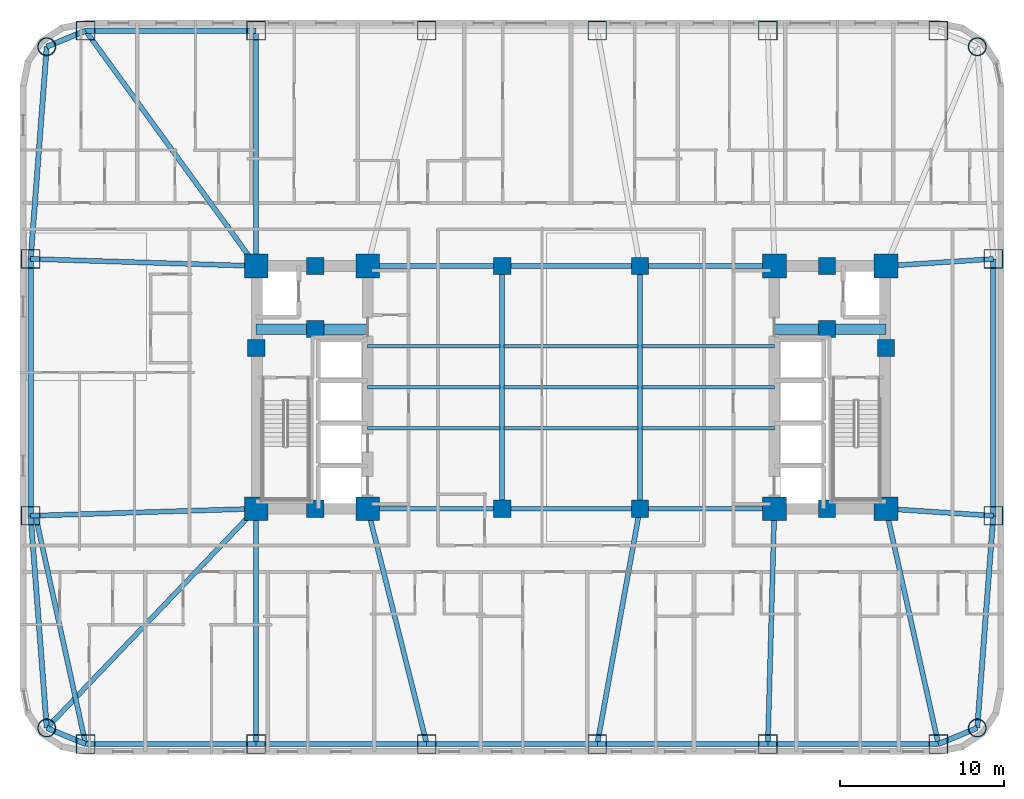
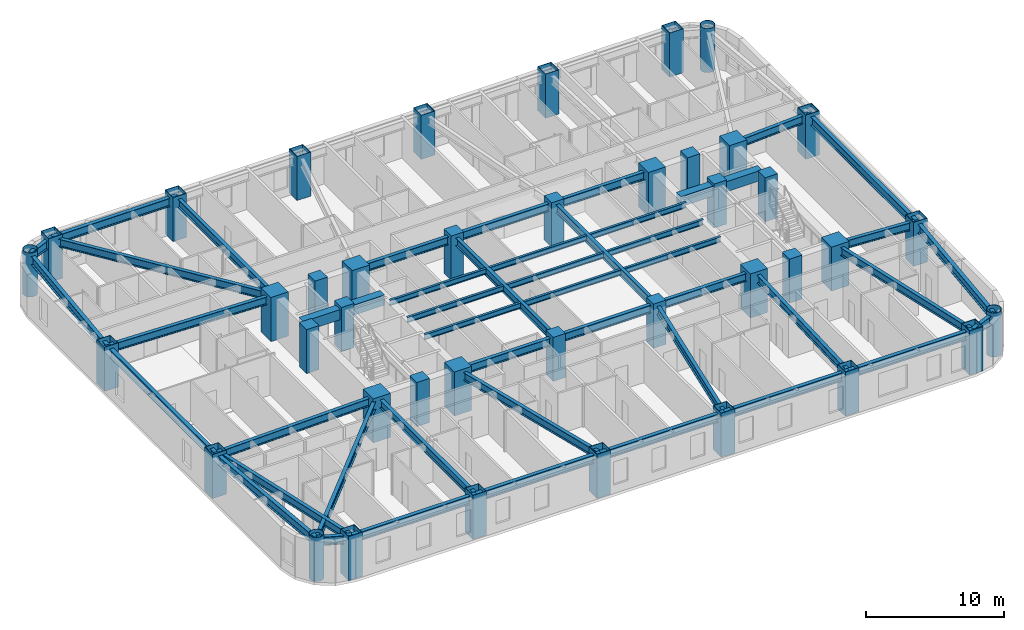
# One storey, part 1 of 11: 46 beams, 40 columns.
"""IFC4 building model written with IfcOpenShell, lengths in metres."""

from ifc_helpers import new_model, si_unit, direction, frame, origin, origin_2d, place, context, subcontext, project, spatial, rectangle, hollow_rectangle, hollow_circle, i_section, extrude, material, material_profile, profile_set, type_object, element, save


model = new_model("IFC4")

# Units and contexts
model_context = context("Model", 3, precision=1e-05, world=origin(), true_north=direction((0.0, 1.0)))
body_context = subcontext(model_context, "Body", "Model", "MODEL_VIEW")
ifc_project = project(units=[si_unit("LENGTHUNIT", "METRE"), si_unit("AREAUNIT", "SQUARE_METRE"), si_unit("VOLUMEUNIT", "CUBIC_METRE"), si_unit("PLANEANGLEUNIT", "RADIAN"), si_unit("MASSUNIT", "GRAM", prefix="KILO")], contexts=[model_context])

# Site, building, storey
site_placement = place(None, origin())
site = spatial("IfcSite", under=ifc_project, at=site_placement, CompositionType="ELEMENT")
building_placement = place(site_placement, origin())
building = spatial("IfcBuilding", under=site, at=building_placement, Name="Voryun Gate Residences", CompositionType="ELEMENT")
storey_placement = place(building_placement, frame((0.0, 0.0, 76.699951171875)))
storey = spatial("IfcBuildingStorey", under=building, at=storey_placement, Name="L18", CompositionType="ELEMENT", Elevation=76.699951171875)

# Columns
ifc_material_1 = material(Name="Concrete C50/60", Category="concrete")
ifc_material_profile_1 = material_profile(ifc_material_1, rectangle(XDim=1.050048828125, YDim=1.050048828125, at=origin_2d()), Name="RC-1050x1050")
ifc_profile_set_1 = profile_set([ifc_material_profile_1], Name="Concrete C50/60")
column_type_1 = type_object("IfcColumnType", Name="COL_CORE_1050", PredefinedType="COLUMN", material=ifc_profile_set_1)
for number, where, z_axis, x_axis, name in (
    (1, (-19.199951171875, 2.39990234375, 0.0), (0.0, 0.0, 1.0), (1.0, 0.0, 0.0), "L18 Core boundary column WC-MW"),
    (2, (-15.60009765625, -7.39990234375, 0.0), (0.0, 0.0, 1.0), (1.0, 0.0, 0.0), "L18 Core boundary column WC-SM"),
    (3, (-15.60009765625, 7.39990234375, 0.0), (0.0, 0.0, 1.0), (1.0, 0.0, 0.0), "L18 Core boundary column WC-NM"),
    (4, (-15.60009765625, 3.550048828125, 0.0), (0.0, 0.0, 1.0), (1.0, 0.0, 0.0), "L18 Core boundary column WC-MM"),
    (5, (15.60009765625, 3.550048828125, 0.0), (0.0, 0.0, 1.0), (1.0, 0.0, 0.0), "L18 Core boundary column EC-MM"),
    (6, (15.60009765625, -7.39990234375, 0.0), (0.0, 0.0, 1.0), (1.0, 0.0, 0.0), "L18 Core boundary column EC-SM"),
    (7, (15.60009765625, 7.39990234375, 0.0), (0.0, 0.0, 1.0), (1.0, 0.0, 0.0), "L18 Core boundary column EC-NM"),
    (8, (19.199951171875, 2.39990234375, 0.0), (0.0, 0.0, 1.0), (1.0, 0.0, 0.0), "L18 Core boundary column EC-ME"),
    (9, (-4.199951171875, -7.39990234375, 0.0), (0.0, 0.0, 1.0), (1.0, 0.0, 0.0), "L18 Interior spine column SP-WS"),
    (10, (-4.199951171875, 7.39990234375, 0.0), (0.0, 0.0, 1.0), (1.0, 0.0, 0.0), "L18 Interior spine column SP-WN"),
    (11, (4.199951171875, -7.39990234375, 0.0), (0.0, 0.0, 1.0), (1.0, 0.0, 0.0), "L18 Interior spine column SP-ES"),
    (12, (4.199951171875, 7.39990234375, 0.0), (0.0, 0.0, 1.0), (1.0, 0.0, 0.0), "L18 Interior spine column SP-EN"),
):
    element("IfcColumn", number, at=place(storey_placement, frame(where, z_axis=z_axis, x_axis=x_axis)), inside=storey, type_object=column_type_1, Name=name, PredefinedType="COLUMN", context=body_context, shape_type="SweptSolid", body=[
        extrude(rectangle(XDim=1.050048828125, YDim=1.050048828125, at=origin_2d()), origin(), (0.0, 0.0, 1.0), 3.900146484375),
    ])
ifc_material_2 = material(Name="Steel SM420", Category="steel")
ifc_material_profile_2 = material_profile(ifc_material_2, hollow_circle(Radius=0.550048828125, WallThickness=0.035888671875, at=origin_2d()), Name="CHS-1100x36")
ifc_profile_set_2 = profile_set([ifc_material_profile_2], Name="Steel SM420")
column_type_2 = type_object("IfcColumnType", Name="COL_CRN_1100", PredefinedType="COLUMN", material=ifc_profile_set_2)
for number, where, z_axis, x_axis, name in (
    (13, (24.768798828125, -20.768798828125, 0.0), (0.0, 0.0, 1.0), (1.0, 0.0, 0.0), "L18 Exoskeleton column CSE"),
    (14, (24.768798828125, 20.768798828125, 0.0), (0.0, 0.0, 1.0), (1.0, 0.0, 0.0), "L18 Exoskeleton column CNE"),
    (15, (-31.96875, 20.768798828125, 0.0), (0.0, 0.0, 1.0), (1.0, 0.0, 0.0), "L18 Exoskeleton column CNW"),
    (16, (-31.96875, -20.768798828125, 0.0), (0.0, 0.0, 1.0), (1.0, 0.0, 0.0), "L18 Exoskeleton column CSW"),
):
    element("IfcColumn", number, at=place(storey_placement, frame(where, z_axis=z_axis, x_axis=x_axis)), inside=storey, type_object=column_type_2, Name=name, PredefinedType="COLUMN", context=body_context, shape_type="SweptSolid", body=[
        extrude(hollow_circle(Radius=0.550048828125, WallThickness=0.035888671875, at=origin_2d()), origin(), (0.0, 0.0, 1.0), 3.900146484375),
    ])
ifc_material_3 = material(Name="Steel SM420", Category="steel")
ifc_material_profile_3 = material_profile(ifc_material_3, hollow_rectangle(XDim=1.14990234375, YDim=1.14990234375, WallThickness=0.0400390625, at=origin_2d()), Name="BOX-1150x1150x40")
ifc_profile_set_3 = profile_set([ifc_material_profile_3], Name="Steel SM420")
column_type_3 = type_object("IfcColumnType", Name="COL_EXO_B1", PredefinedType="COLUMN", material=ifc_profile_set_3)
for number, where, z_axis, x_axis, name in (
    (17, (-29.60009765625, -21.75, 0.0), (0.0, 0.0, 1.0), (1.0, 0.0, 0.0), "L18 Exoskeleton column S1"),
    (18, (-19.199951171875, -21.75, 0.0), (0.0, 0.0, 1.0), (1.0, 0.0, 0.0), "L18 Exoskeleton column S2"),
    (19, (-8.800048828125, -21.75, 0.0), (0.0, 0.0, 1.0), (1.0, 0.0, 0.0), "L18 Exoskeleton column S3"),
    (20, (1.60009765625, -21.75, 0.0), (0.0, 0.0, 1.0), (1.0, 0.0, 0.0), "L18 Exoskeleton column S4"),
    (21, (12.0, -21.75, 0.0), (0.0, 0.0, 1.0), (1.0, 0.0, 0.0), "L18 Exoskeleton column S5"),
    (22, (22.39990234375, -21.75, 0.0), (0.0, 0.0, 1.0), (1.0, 0.0, 0.0), "L18 Exoskeleton column S6"),
    (23, (25.75, -7.830078125, 0.0), (0.0, 0.0, 1.0), (1.0, 0.0, 0.0), "L18 Exoskeleton column E1"),
    (24, (25.75, 7.830078125, 0.0), (0.0, 0.0, 1.0), (1.0, 0.0, 0.0), "L18 Exoskeleton column E2"),
    (25, (22.39990234375, 21.75, 0.0), (0.0, 0.0, 1.0), (1.0, 0.0, 0.0), "L18 Exoskeleton column N1"),
    (26, (12.0, 21.75, 0.0), (0.0, 0.0, 1.0), (1.0, 0.0, 0.0), "L18 Exoskeleton column N2"),
    (27, (1.60009765625, 21.75, 0.0), (0.0, 0.0, 1.0), (1.0, 0.0, 0.0), "L18 Exoskeleton column N3"),
    (28, (-8.800048828125, 21.75, 0.0), (0.0, 0.0, 1.0), (1.0, 0.0, 0.0), "L18 Exoskeleton column N4"),
    (29, (-19.199951171875, 21.75, 0.0), (0.0, 0.0, 1.0), (1.0, 0.0, 0.0), "L18 Exoskeleton column N5"),
    (30, (-29.60009765625, 21.75, 0.0), (0.0, 0.0, 1.0), (1.0, 0.0, 0.0), "L18 Exoskeleton column N6"),
    (31, (-32.949951171875, 7.830078125, 0.0), (0.0, 0.0, 1.0), (1.0, 0.0, 0.0), "L18 Exoskeleton column W1"),
    (32, (-32.949951171875, -7.830078125, 0.0), (0.0, 0.0, 1.0), (1.0, 0.0, 0.0), "L18 Exoskeleton column W2"),
):
    element("IfcColumn", number, at=place(storey_placement, frame(where, z_axis=z_axis, x_axis=x_axis)), inside=storey, type_object=column_type_3, Name=name, PredefinedType="COLUMN", context=body_context, shape_type="SweptSolid", body=[
        extrude(hollow_rectangle(XDim=1.14990234375, YDim=1.14990234375, WallThickness=0.0400390625, at=origin_2d()), origin(), (0.0, 0.0, 1.0), 3.900146484375),
    ])
ifc_material_4 = material(Name="Concrete C60/75", Category="concrete")
ifc_material_profile_4 = material_profile(ifc_material_4, rectangle(XDim=1.449951171875, YDim=1.449951171875, at=origin_2d()), Name="RC-1450x1450")
ifc_profile_set_4 = profile_set([ifc_material_profile_4], Name="Concrete C60/75")
column_type_4 = type_object("IfcColumnType", Name="COL_MEGA_1450", PredefinedType="COLUMN", material=ifc_profile_set_4)
for number, where, z_axis, x_axis, name in (
    (33, (-19.199951171875, -7.39990234375, 0.0), (0.0, 0.0, 1.0), (1.0, 0.0, 0.0), "L18 Core boundary column WC-SW"),
    (34, (-19.199951171875, 7.39990234375, 0.0), (0.0, 0.0, 1.0), (1.0, 0.0, 0.0), "L18 Core boundary column WC-NW"),
    (35, (-12.39990234375, -7.39990234375, 0.0), (0.0, 0.0, 1.0), (1.0, 0.0, 0.0), "L18 Core boundary column WC-SE"),
    (36, (-12.39990234375, 7.39990234375, 0.0), (0.0, 0.0, 1.0), (1.0, 0.0, 0.0), "L18 Core boundary column WC-NE"),
    (37, (12.39990234375, -7.39990234375, 0.0), (0.0, 0.0, 1.0), (1.0, 0.0, 0.0), "L18 Core boundary column EC-SW"),
    (38, (12.39990234375, 7.39990234375, 0.0), (0.0, 0.0, 1.0), (1.0, 0.0, 0.0), "L18 Core boundary column EC-NW"),
    (39, (19.199951171875, -7.39990234375, 0.0), (0.0, 0.0, 1.0), (1.0, 0.0, 0.0), "L18 Core boundary column EC-SE"),
    (40, (19.199951171875, 7.39990234375, 0.0), (0.0, 0.0, 1.0), (1.0, 0.0, 0.0), "L18 Core boundary column EC-NE"),
):
    element("IfcColumn", number, at=place(storey_placement, frame(where, z_axis=z_axis, x_axis=x_axis)), inside=storey, type_object=column_type_4, Name=name, PredefinedType="COLUMN", context=body_context, shape_type="SweptSolid", body=[
        extrude(rectangle(XDim=1.449951171875, YDim=1.449951171875, at=origin_2d()), origin(), (0.0, 0.0, 1.0), 3.900146484375),
    ])

# Beams
ifc_material_5 = material(Name="Concrete C60/75", Category="concrete")
ifc_material_profile_5 = material_profile(ifc_material_5, rectangle(XDim=0.64990234375, YDim=0.89990234375, at=origin_2d()), Name="RC-650x900")
ifc_profile_set_5 = profile_set([ifc_material_profile_5], Name="Concrete C60/75")
beam_type_1 = type_object("IfcBeamType", Name="BM_COUP_RC900", PredefinedType="LINTEL", material=ifc_profile_set_5)
for number, where, z_axis, x_axis, name in (
    (41, (-19.199951171875, 3.550048828125, 3.150146484375), (1.0, 0.0, 0.0), (0.0, 1.0, 0.0), "BM-L18-WC1"),
    (42, (12.39990234375, 3.550048828125, 3.150146484375), (1.0, 0.0, 0.0), (0.0, 1.0, 0.0), "BM-L18-EC1"),
):
    element("IfcBeam", number, at=place(storey_placement, frame(where, z_axis=z_axis, x_axis=x_axis)), inside=storey, type_object=beam_type_1, Name=name, PredefinedType="LINTEL", context=body_context, shape_type="SweptSolid", body=[
        extrude(rectangle(XDim=0.64990234375, YDim=0.89990234375, at=origin_2d()), origin(), (0.0, 0.0, 1.0), 6.800048828125),
    ])
ifc_material_6 = material(Name="Steel SM355", Category="steel")
ifc_material_profile_6 = material_profile(ifc_material_6, i_section(OverallWidth=0.320068359375, OverallDepth=0.75, WebThickness=0.01611328125, FlangeThickness=0.028076171875, FilletRadius=0.01806640625, at=origin_2d()), Name="H-750x320x16x28")
ifc_profile_set_6 = profile_set([ifc_material_profile_6], Name="Steel SM355")
beam_type_2 = type_object("IfcBeamType", Name="BM_EXO_SPANDREL_L", PredefinedType="SPANDREL", material=ifc_profile_set_6)
beam_1_placement = place(storey_placement, frame((-29.60009765625, -21.75, 3.22509765625), z_axis=(1.0, 0.0, 0.0), x_axis=(0.0, 1.0, 0.0)))
element("IfcBeam", 43, at=beam_1_placement, inside=storey, type_object=beam_type_2, Name="BM-L18-SPAND-01", PredefinedType="SPANDREL", context=body_context, shape_type="SweptSolid", body=[
    extrude(i_section(OverallWidth=0.320068359375, OverallDepth=0.75, WebThickness=0.01611328125, FlangeThickness=0.028076171875, FilletRadius=0.01806640625, at=origin_2d()), origin(), (0.0, 0.0, 1.0), 10.400146484375),
])
beam_2_placement = place(storey_placement, frame((-19.199951171875, -21.75, 3.22509765625), z_axis=(1.0, 0.0, 0.0), x_axis=(0.0, 1.0, 0.0)))
element("IfcBeam", 44, at=beam_2_placement, inside=storey, type_object=beam_type_2, Name="BM-L18-SPAND-02", PredefinedType="SPANDREL", context=body_context, shape_type="SweptSolid", body=[
    extrude(i_section(OverallWidth=0.320068359375, OverallDepth=0.75, WebThickness=0.01611328125, FlangeThickness=0.028076171875, FilletRadius=0.01806640625, at=origin_2d()), origin(), (0.0, 0.0, 1.0), 10.39990234375),
])
beam_3_placement = place(storey_placement, frame((-8.800048828125, -21.75, 3.22509765625), z_axis=(1.0, 0.0, 0.0), x_axis=(0.0, 1.0, 0.0)))
element("IfcBeam", 45, at=beam_3_placement, inside=storey, type_object=beam_type_2, Name="BM-L18-SPAND-03", PredefinedType="SPANDREL", context=body_context, shape_type="SweptSolid", body=[
    extrude(i_section(OverallWidth=0.320068359375, OverallDepth=0.75, WebThickness=0.01611328125, FlangeThickness=0.028076171875, FilletRadius=0.01806640625, at=origin_2d()), origin(), (0.0, 0.0, 1.0), 10.400146484375),
])
for number, where, z_axis, x_axis, name in (
    (46, (1.60009765625, -21.75, 3.22509765625), (1.0, 0.0, 0.0), (0.0, 1.0, 0.0), "BM-L18-SPAND-04"),
    (47, (12.0, -21.75, 3.22509765625), (1.0, 0.0, 0.0), (0.0, 1.0, 0.0), "BM-L18-SPAND-05"),
):
    element("IfcBeam", number, at=place(storey_placement, frame(where, z_axis=z_axis, x_axis=x_axis)), inside=storey, type_object=beam_type_2, Name=name, PredefinedType="SPANDREL", context=body_context, shape_type="SweptSolid", body=[
        extrude(i_section(OverallWidth=0.320068359375, OverallDepth=0.75, WebThickness=0.01611328125, FlangeThickness=0.028076171875, FilletRadius=0.01806640625, at=origin_2d()), origin(), (0.0, 0.0, 1.0), 10.39990234375),
    ])
beam_4_placement = place(storey_placement, frame((22.39990234375, -21.75, 3.22509765625), z_axis=(0.923883376753, 0.382674151414, 0.0), x_axis=(-0.382674151414, 0.923883376753, 0.0)))
element("IfcBeam", 48, at=beam_4_placement, inside=storey, type_object=beam_type_2, Name="BM-L18-SPAND-06", PredefinedType="SPANDREL", context=body_context, shape_type="SweptSolid", body=[
    extrude(i_section(OverallWidth=0.320068359375, OverallDepth=0.75, WebThickness=0.01611328125, FlangeThickness=0.028076171875, FilletRadius=0.01806640625, at=origin_2d()), origin(), (0.0, 0.0, 1.0), 2.56396484375),
])
beam_5_placement = place(storey_placement, frame((24.768798828125, -20.768798828125, 3.22509765625), z_axis=(0.075617360159, 0.997136908776, 0.0), x_axis=(-0.997136908776, 0.075617360159, 0.0)))
element("IfcBeam", 49, at=beam_5_placement, inside=storey, type_object=beam_type_2, Name="BM-L18-SPAND-07", PredefinedType="SPANDREL", context=body_context, shape_type="SweptSolid", body=[
    extrude(i_section(OverallWidth=0.320068359375, OverallDepth=0.75, WebThickness=0.01611328125, FlangeThickness=0.028076171875, FilletRadius=0.01806640625, at=origin_2d()), origin(), (0.0, 0.0, 1.0), 12.975830078125),
])
beam_6_placement = place(storey_placement, frame((25.75, -7.830078125, 3.22509765625), z_axis=(0.0, 1.0, 0.0), x_axis=(-1.0, 0.0, 0.0)))
element("IfcBeam", 50, at=beam_6_placement, inside=storey, type_object=beam_type_2, Name="BM-L18-SPAND-08", PredefinedType="SPANDREL", context=body_context, shape_type="SweptSolid", body=[
    extrude(i_section(OverallWidth=0.320068359375, OverallDepth=0.75, WebThickness=0.01611328125, FlangeThickness=0.028076171875, FilletRadius=0.01806640625, at=origin_2d()), origin(), (0.0, 0.0, 1.0), 15.66015625),
])
beam_7_placement = place(storey_placement, frame((-19.199951171875, 21.75, 3.22509765625), z_axis=(-1.0, 0.0, 0.0), x_axis=(0.0, -1.0, 0.0)))
element("IfcBeam", 51, at=beam_7_placement, inside=storey, type_object=beam_type_2, Name="BM-L18-SPAND-15", PredefinedType="SPANDREL", context=body_context, shape_type="SweptSolid", body=[
    extrude(i_section(OverallWidth=0.320068359375, OverallDepth=0.75, WebThickness=0.01611328125, FlangeThickness=0.028076171875, FilletRadius=0.01806640625, at=origin_2d()), origin(), (0.0, 0.0, 1.0), 10.400146484375),
])
beam_8_placement = place(storey_placement, frame((-29.60009765625, 21.75, 3.22509765625), z_axis=(-0.92386943149, -0.382707817477, 0.0), x_axis=(0.382707817477, -0.92386943149, 0.0)))
element("IfcBeam", 52, at=beam_8_placement, inside=storey, type_object=beam_type_2, Name="BM-L18-SPAND-16", PredefinedType="SPANDREL", context=body_context, shape_type="SweptSolid", body=[
    extrude(i_section(OverallWidth=0.320068359375, OverallDepth=0.75, WebThickness=0.01611328125, FlangeThickness=0.028076171875, FilletRadius=0.01806640625, at=origin_2d()), origin(), (0.0, 0.0, 1.0), 2.563720703125),
])
beam_9_placement = place(storey_placement, frame((-31.96875, 20.768798828125, 3.22509765625), z_axis=(-0.075617360159, -0.997136908776, 0.0), x_axis=(0.997136908776, -0.075617360159, 0.0)))
element("IfcBeam", 53, at=beam_9_placement, inside=storey, type_object=beam_type_2, Name="BM-L18-SPAND-17", PredefinedType="SPANDREL", context=body_context, shape_type="SweptSolid", body=[
    extrude(i_section(OverallWidth=0.320068359375, OverallDepth=0.75, WebThickness=0.01611328125, FlangeThickness=0.028076171875, FilletRadius=0.01806640625, at=origin_2d()), origin(), (0.0, 0.0, 1.0), 12.975830078125),
])
beam_10_placement = place(storey_placement, frame((-32.949951171875, 7.830078125, 3.22509765625), z_axis=(0.0, -1.0, 0.0), x_axis=(1.0, 0.0, 0.0)))
element("IfcBeam", 54, at=beam_10_placement, inside=storey, type_object=beam_type_2, Name="BM-L18-SPAND-18", PredefinedType="SPANDREL", context=body_context, shape_type="SweptSolid", body=[
    extrude(i_section(OverallWidth=0.320068359375, OverallDepth=0.75, WebThickness=0.01611328125, FlangeThickness=0.028076171875, FilletRadius=0.01806640625, at=origin_2d()), origin(), (0.0, 0.0, 1.0), 15.66015625),
])
beam_11_placement = place(storey_placement, frame((-32.949951171875, -7.830078125, 3.22509765625), z_axis=(0.075617360159, -0.997136908776, 0.0), x_axis=(0.997136908776, 0.075617360159, 0.0)))
element("IfcBeam", 55, at=beam_11_placement, inside=storey, type_object=beam_type_2, Name="BM-L18-SPAND-19", PredefinedType="SPANDREL", context=body_context, shape_type="SweptSolid", body=[
    extrude(i_section(OverallWidth=0.320068359375, OverallDepth=0.75, WebThickness=0.01611328125, FlangeThickness=0.028076171875, FilletRadius=0.01806640625, at=origin_2d()), origin(), (0.0, 0.0, 1.0), 12.975830078125),
])
beam_12_placement = place(storey_placement, frame((-31.96875, -20.768798828125, 3.22509765625), z_axis=(0.92386943149, -0.382707817477, 0.0), x_axis=(0.382707817477, 0.92386943149, 0.0)))
element("IfcBeam", 56, at=beam_12_placement, inside=storey, type_object=beam_type_2, Name="BM-L18-SPAND-20", PredefinedType="SPANDREL", context=body_context, shape_type="SweptSolid", body=[
    extrude(i_section(OverallWidth=0.320068359375, OverallDepth=0.75, WebThickness=0.01611328125, FlangeThickness=0.028076171875, FilletRadius=0.01806640625, at=origin_2d()), origin(), (0.0, 0.0, 1.0), 2.563720703125),
])
ifc_material_7 = material(Name="Steel SM355", Category="steel")
ifc_material_profile_7 = material_profile(ifc_material_7, i_section(OverallWidth=0.300048828125, OverallDepth=0.699951171875, WebThickness=0.012939453125, FlangeThickness=0.02392578125, FilletRadius=0.01806640625, at=origin_2d()), Name="H-700x300x13x24")
ifc_profile_set_7 = profile_set([ifc_material_profile_7], Name="Steel SM355")
beam_type_3 = type_object("IfcBeamType", Name="BM_GIRD_700", PredefinedType="USERDEFINED", material=ifc_profile_set_7)
beam_13_placement = place(storey_placement, frame((-12.39990234375, -7.39990234375, 3.25), z_axis=(1.0, 0.0, 0.0), x_axis=(0.0, 1.0, 0.0)))
element("IfcBeam", 57, at=beam_13_placement, inside=storey, type_object=beam_type_3, Name="BM-L18-SPG1-S", ObjectType="GIRDER", PredefinedType="USERDEFINED", context=body_context, shape_type="SweptSolid", body=[
    extrude(i_section(OverallWidth=0.300048828125, OverallDepth=0.699951171875, WebThickness=0.012939453125, FlangeThickness=0.02392578125, FilletRadius=0.01806640625, at=origin_2d()), origin(), (0.0, 0.0, 1.0), 8.199951171875),
])
beam_14_placement = place(storey_placement, frame((-4.199951171875, -7.39990234375, 3.25), z_axis=(1.0, 0.0, 0.0), x_axis=(0.0, 1.0, 0.0)))
element("IfcBeam", 58, at=beam_14_placement, inside=storey, type_object=beam_type_3, Name="BM-L18-SPG2-S", ObjectType="GIRDER", PredefinedType="USERDEFINED", context=body_context, shape_type="SweptSolid", body=[
    extrude(i_section(OverallWidth=0.300048828125, OverallDepth=0.699951171875, WebThickness=0.012939453125, FlangeThickness=0.02392578125, FilletRadius=0.01806640625, at=origin_2d()), origin(), (0.0, 0.0, 1.0), 8.39990234375),
])
for number, where, z_axis, x_axis, name in (
    (59, (4.199951171875, -7.39990234375, 3.25), (1.0, 0.0, 0.0), (0.0, 1.0, 0.0), "BM-L18-SPG3-S"),
    (60, (-12.39990234375, 7.39990234375, 3.25), (1.0, 0.0, 0.0), (0.0, 1.0, 0.0), "BM-L18-SPG1-N"),
):
    element("IfcBeam", number, at=place(storey_placement, frame(where, z_axis=z_axis, x_axis=x_axis)), inside=storey, type_object=beam_type_3, Name=name, ObjectType="GIRDER", PredefinedType="USERDEFINED", context=body_context, shape_type="SweptSolid", body=[
        extrude(i_section(OverallWidth=0.300048828125, OverallDepth=0.699951171875, WebThickness=0.012939453125, FlangeThickness=0.02392578125, FilletRadius=0.01806640625, at=origin_2d()), origin(), (0.0, 0.0, 1.0), 8.199951171875),
    ])
beam_15_placement = place(storey_placement, frame((-4.199951171875, 7.39990234375, 3.25), z_axis=(1.0, 0.0, 0.0), x_axis=(0.0, 1.0, 0.0)))
element("IfcBeam", 61, at=beam_15_placement, inside=storey, type_object=beam_type_3, Name="BM-L18-SPG2-N", ObjectType="GIRDER", PredefinedType="USERDEFINED", context=body_context, shape_type="SweptSolid", body=[
    extrude(i_section(OverallWidth=0.300048828125, OverallDepth=0.699951171875, WebThickness=0.012939453125, FlangeThickness=0.02392578125, FilletRadius=0.01806640625, at=origin_2d()), origin(), (0.0, 0.0, 1.0), 8.39990234375),
])
beam_16_placement = place(storey_placement, frame((4.199951171875, 7.39990234375, 3.25), z_axis=(1.0, 0.0, 0.0), x_axis=(0.0, 1.0, 0.0)))
element("IfcBeam", 62, at=beam_16_placement, inside=storey, type_object=beam_type_3, Name="BM-L18-SPG3-N", ObjectType="GIRDER", PredefinedType="USERDEFINED", context=body_context, shape_type="SweptSolid", body=[
    extrude(i_section(OverallWidth=0.300048828125, OverallDepth=0.699951171875, WebThickness=0.012939453125, FlangeThickness=0.02392578125, FilletRadius=0.01806640625, at=origin_2d()), origin(), (0.0, 0.0, 1.0), 8.199951171875),
])
for number, where, z_axis, x_axis, name in (
    (63, (-4.199951171875, -7.39990234375, 3.25), (0.0, 1.0, 0.0), (-1.0, 0.0, 0.0), "BM-L18-SPX-W"),
    (64, (4.199951171875, -7.39990234375, 3.25), (0.0, 1.0, 0.0), (-1.0, 0.0, 0.0), "BM-L18-SPX-E"),
):
    element("IfcBeam", number, at=place(storey_placement, frame(where, z_axis=z_axis, x_axis=x_axis)), inside=storey, type_object=beam_type_3, Name=name, ObjectType="GIRDER", PredefinedType="USERDEFINED", context=body_context, shape_type="SweptSolid", body=[
        extrude(i_section(OverallWidth=0.300048828125, OverallDepth=0.699951171875, WebThickness=0.012939453125, FlangeThickness=0.02392578125, FilletRadius=0.01806640625, at=origin_2d()), origin(), (0.0, 0.0, 1.0), 14.7998046875),
    ])
beam_17_placement = place(storey_placement, frame((-32.64990234375, -7.830078125, 3.25), z_axis=(0.214019782918, -0.976829326198, 0.0), x_axis=(0.976829326198, 0.214019782918, 0.0)))
element("IfcBeam", 65, at=beam_17_placement, inside=storey, type_object=beam_type_3, Name="BM-L18-RAD-S1", ObjectType="GIRDER", PredefinedType="USERDEFINED", context=body_context, shape_type="SweptSolid", body=[
    extrude(i_section(OverallWidth=0.300048828125, OverallDepth=0.699951171875, WebThickness=0.012939453125, FlangeThickness=0.02392578125, FilletRadius=0.01806640625, at=origin_2d()), origin(), (0.0, 0.0, 1.0), 14.25),
])
beam_18_placement = place(storey_placement, frame((-19.199951171875, -7.39990234375, 3.25), z_axis=(0.0, -1.0, 0.0), x_axis=(1.0, 0.0, 0.0)))
element("IfcBeam", 66, at=beam_18_placement, inside=storey, type_object=beam_type_3, Name="BM-L18-RAD-S2", ObjectType="GIRDER", PredefinedType="USERDEFINED", context=body_context, shape_type="SweptSolid", body=[
    extrude(i_section(OverallWidth=0.300048828125, OverallDepth=0.699951171875, WebThickness=0.012939453125, FlangeThickness=0.02392578125, FilletRadius=0.01806640625, at=origin_2d()), origin(), (0.0, 0.0, 1.0), 14.35009765625),
])
beam_19_placement = place(storey_placement, frame((-12.39990234375, -7.39990234375, 3.25), z_axis=(0.243319869291, -0.969946102218, 0.0), x_axis=(0.969946102218, 0.243319869291, 0.0)))
element("IfcBeam", 67, at=beam_19_placement, inside=storey, type_object=beam_type_3, Name="BM-L18-RAD-S3", ObjectType="GIRDER", PredefinedType="USERDEFINED", context=body_context, shape_type="SweptSolid", body=[
    extrude(i_section(OverallWidth=0.300048828125, OverallDepth=0.699951171875, WebThickness=0.012939453125, FlangeThickness=0.02392578125, FilletRadius=0.01806640625, at=origin_2d()), origin(), (0.0, 0.0, 1.0), 14.794677734375),
])
beam_20_placement = place(storey_placement, frame((4.199951171875, -7.39990234375, 3.25), z_axis=(-0.178271088758, -0.983981411874, 0.0), x_axis=(0.983981411874, -0.178271088758, 0.0)))
element("IfcBeam", 68, at=beam_20_placement, inside=storey, type_object=beam_type_3, Name="BM-L18-RAD-S4", ObjectType="GIRDER", PredefinedType="USERDEFINED", context=body_context, shape_type="SweptSolid", body=[
    extrude(i_section(OverallWidth=0.300048828125, OverallDepth=0.699951171875, WebThickness=0.012939453125, FlangeThickness=0.02392578125, FilletRadius=0.01806640625, at=origin_2d()), origin(), (0.0, 0.0, 1.0), 14.583740234375),
])
beam_21_placement = place(storey_placement, frame((12.39990234375, -7.39990234375, 3.25), z_axis=(-0.0278567548, -0.999611925305, 0.0), x_axis=(0.999611925305, -0.0278567548, 0.0)))
element("IfcBeam", 69, at=beam_21_placement, inside=storey, type_object=beam_type_3, Name="BM-L18-RAD-S5", ObjectType="GIRDER", PredefinedType="USERDEFINED", context=body_context, shape_type="SweptSolid", body=[
    extrude(i_section(OverallWidth=0.300048828125, OverallDepth=0.699951171875, WebThickness=0.012939453125, FlangeThickness=0.02392578125, FilletRadius=0.01806640625, at=origin_2d()), origin(), (0.0, 0.0, 1.0), 14.355712890625),
])
beam_22_placement = place(storey_placement, frame((19.199951171875, -7.39990234375, 3.25), z_axis=(0.217645991352, -0.976027777498, 0.0), x_axis=(0.976027777498, 0.217645991352, 0.0)))
element("IfcBeam", 70, at=beam_22_placement, inside=storey, type_object=beam_type_3, Name="BM-L18-RAD-S6", ObjectType="GIRDER", PredefinedType="USERDEFINED", context=body_context, shape_type="SweptSolid", body=[
    extrude(i_section(OverallWidth=0.300048828125, OverallDepth=0.699951171875, WebThickness=0.012939453125, FlangeThickness=0.02392578125, FilletRadius=0.01806640625, at=origin_2d()), origin(), (0.0, 0.0, 1.0), 14.70263671875),
])
for number, where, z_axis, x_axis, name in (
    (71, (19.199951171875, -7.39990234375, 3.25), (0.997850335415, -0.06553402255, 0.0), (0.06553402255, 0.997850335415, 0.0), "BM-L18-RAD-E1"),
    (72, (19.199951171875, 7.39990234375, 3.25), (0.997850335415, 0.06553402255, 0.0), (-0.06553402255, 0.997850335415, 0.0), "BM-L18-RAD-E2"),
):
    element("IfcBeam", number, at=place(storey_placement, frame(where, z_axis=z_axis, x_axis=x_axis)), inside=storey, type_object=beam_type_3, Name=name, ObjectType="GIRDER", PredefinedType="USERDEFINED", context=body_context, shape_type="SweptSolid", body=[
        extrude(i_section(OverallWidth=0.300048828125, OverallDepth=0.699951171875, WebThickness=0.012939453125, FlangeThickness=0.02392578125, FilletRadius=0.01806640625, at=origin_2d()), origin(), (0.0, 0.0, 1.0), 6.564208984375),
    ])
beam_23_placement = place(storey_placement, frame((-19.199951171875, 7.39990234375, 3.25), z_axis=(0.0, 1.0, 0.0), x_axis=(-1.0, 0.0, 0.0)))
element("IfcBeam", 73, at=beam_23_placement, inside=storey, type_object=beam_type_3, Name="BM-L18-RAD-N5", ObjectType="GIRDER", PredefinedType="USERDEFINED", context=body_context, shape_type="SweptSolid", body=[
    extrude(i_section(OverallWidth=0.300048828125, OverallDepth=0.699951171875, WebThickness=0.012939453125, FlangeThickness=0.02392578125, FilletRadius=0.01806640625, at=origin_2d()), origin(), (0.0, 0.0, 1.0), 14.35009765625),
])
beam_24_placement = place(storey_placement, frame((-19.199951171875, 7.39990234375, 3.25), z_axis=(-0.586831668391, 0.80970895572, 0.0), x_axis=(-0.80970895572, -0.586831668391, 0.0)))
element("IfcBeam", 74, at=beam_24_placement, inside=storey, type_object=beam_type_3, Name="BM-L18-RAD-N6", ObjectType="GIRDER", PredefinedType="USERDEFINED", context=body_context, shape_type="SweptSolid", body=[
    extrude(i_section(OverallWidth=0.300048828125, OverallDepth=0.699951171875, WebThickness=0.012939453125, FlangeThickness=0.02392578125, FilletRadius=0.01806640625, at=origin_2d()), origin(), (0.0, 0.0, 1.0), 17.72265625),
])
for number, where, z_axis, x_axis, name in (
    (75, (-19.199951171875, 7.39990234375, 3.25), (-0.999510967353, 0.031270211727, 0.0), (-0.031270211727, -0.999510967353, 0.0), "BM-L18-RAD-W1"),
    (76, (-19.199951171875, -7.39990234375, 3.25), (-0.999510967353, -0.031270211727, 0.0), (0.031270211727, -0.999510967353, 0.0), "BM-L18-RAD-W2"),
):
    element("IfcBeam", number, at=place(storey_placement, frame(where, z_axis=z_axis, x_axis=x_axis)), inside=storey, type_object=beam_type_3, Name=name, ObjectType="GIRDER", PredefinedType="USERDEFINED", context=body_context, shape_type="SweptSolid", body=[
        extrude(i_section(OverallWidth=0.300048828125, OverallDepth=0.699951171875, WebThickness=0.012939453125, FlangeThickness=0.02392578125, FilletRadius=0.01806640625, at=origin_2d()), origin(), (0.0, 0.0, 1.0), 13.7568359375),
    ])
beam_25_placement = place(storey_placement, frame((-19.199951171875, -7.39990234375, 3.25), z_axis=(-0.69069023987, -0.723150739852, 0.0), x_axis=(0.723150739852, -0.69069023987, 0.0)))
element("IfcBeam", 77, at=beam_25_placement, inside=storey, type_object=beam_type_3, Name="BM-L18-RAD-CSW", ObjectType="GIRDER", PredefinedType="USERDEFINED", context=body_context, shape_type="SweptSolid", body=[
    extrude(i_section(OverallWidth=0.300048828125, OverallDepth=0.699951171875, WebThickness=0.012939453125, FlangeThickness=0.02392578125, FilletRadius=0.01806640625, at=origin_2d()), origin(), (0.0, 0.0, 1.0), 18.487060546875),
])
ifc_material_8 = material(Name="Steel SM355", Category="steel")
ifc_material_profile_8 = material_profile(ifc_material_8, i_section(OverallWidth=0.199951171875, OverallDepth=0.47998046875, WebThickness=0.010009765625, FlangeThickness=0.01806640625, FilletRadius=0.01806640625, at=origin_2d()), Name="H-480x200x10x18")
ifc_profile_set_8 = profile_set([ifc_material_profile_8], Name="Steel SM355")
beam_type_4 = type_object("IfcBeamType", Name="BM_SEC_480", PredefinedType="BEAM", material=ifc_profile_set_8)
beam_26_placement = place(storey_placement, frame((-12.39990234375, -2.5, 3.360107421875), z_axis=(1.0, 0.0, 0.0), x_axis=(0.0, 1.0, 0.0)))
element("IfcBeam", 78, at=beam_26_placement, inside=storey, type_object=beam_type_4, Name="BM-L18-SEC-CS1", PredefinedType="BEAM", context=body_context, shape_type="SweptSolid", body=[
    extrude(i_section(OverallWidth=0.199951171875, OverallDepth=0.47998046875, WebThickness=0.010009765625, FlangeThickness=0.01806640625, FilletRadius=0.01806640625, at=origin_2d()), origin(), (0.0, 0.0, 1.0), 8.074951171875),
])
beam_27_placement = place(storey_placement, frame((-4.074951171875, -2.5, 3.360107421875), z_axis=(1.0, 0.0, 0.0), x_axis=(0.0, 1.0, 0.0)))
element("IfcBeam", 79, at=beam_27_placement, inside=storey, type_object=beam_type_4, Name="BM-L18-SEC-CS2", PredefinedType="BEAM", context=body_context, shape_type="SweptSolid", body=[
    extrude(i_section(OverallWidth=0.199951171875, OverallDepth=0.47998046875, WebThickness=0.010009765625, FlangeThickness=0.01806640625, FilletRadius=0.01806640625, at=origin_2d()), origin(), (0.0, 0.0, 1.0), 8.14990234375),
])
for number, where, z_axis, x_axis, name in (
    (80, (4.324951171875, -2.5, 3.360107421875), (1.0, 0.0, 0.0), (0.0, 1.0, 0.0), "BM-L18-SEC-CS3"),
    (81, (-12.39990234375, 0.0, 3.360107421875), (1.0, 0.0, 0.0), (0.0, 1.0, 0.0), "BM-L18-SEC-CM1"),
):
    element("IfcBeam", number, at=place(storey_placement, frame(where, z_axis=z_axis, x_axis=x_axis)), inside=storey, type_object=beam_type_4, Name=name, PredefinedType="BEAM", context=body_context, shape_type="SweptSolid", body=[
        extrude(i_section(OverallWidth=0.199951171875, OverallDepth=0.47998046875, WebThickness=0.010009765625, FlangeThickness=0.01806640625, FilletRadius=0.01806640625, at=origin_2d()), origin(), (0.0, 0.0, 1.0), 8.074951171875),
    ])
beam_28_placement = place(storey_placement, frame((-4.074951171875, 0.0, 3.360107421875), z_axis=(1.0, 0.0, 0.0), x_axis=(0.0, 1.0, 0.0)))
element("IfcBeam", 82, at=beam_28_placement, inside=storey, type_object=beam_type_4, Name="BM-L18-SEC-CM2", PredefinedType="BEAM", context=body_context, shape_type="SweptSolid", body=[
    extrude(i_section(OverallWidth=0.199951171875, OverallDepth=0.47998046875, WebThickness=0.010009765625, FlangeThickness=0.01806640625, FilletRadius=0.01806640625, at=origin_2d()), origin(), (0.0, 0.0, 1.0), 8.14990234375),
])
for number, where, z_axis, x_axis, name in (
    (83, (4.324951171875, 0.0, 3.360107421875), (1.0, 0.0, 0.0), (0.0, 1.0, 0.0), "BM-L18-SEC-CM3"),
    (84, (-12.39990234375, 2.5, 3.360107421875), (1.0, 0.0, 0.0), (0.0, 1.0, 0.0), "BM-L18-SEC-CN1"),
):
    element("IfcBeam", number, at=place(storey_placement, frame(where, z_axis=z_axis, x_axis=x_axis)), inside=storey, type_object=beam_type_4, Name=name, PredefinedType="BEAM", context=body_context, shape_type="SweptSolid", body=[
        extrude(i_section(OverallWidth=0.199951171875, OverallDepth=0.47998046875, WebThickness=0.010009765625, FlangeThickness=0.01806640625, FilletRadius=0.01806640625, at=origin_2d()), origin(), (0.0, 0.0, 1.0), 8.074951171875),
    ])
beam_29_placement = place(storey_placement, frame((-4.074951171875, 2.5, 3.360107421875), z_axis=(1.0, 0.0, 0.0), x_axis=(0.0, 1.0, 0.0)))
element("IfcBeam", 85, at=beam_29_placement, inside=storey, type_object=beam_type_4, Name="BM-L18-SEC-CN2", PredefinedType="BEAM", context=body_context, shape_type="SweptSolid", body=[
    extrude(i_section(OverallWidth=0.199951171875, OverallDepth=0.47998046875, WebThickness=0.010009765625, FlangeThickness=0.01806640625, FilletRadius=0.01806640625, at=origin_2d()), origin(), (0.0, 0.0, 1.0), 8.14990234375),
])
beam_30_placement = place(storey_placement, frame((4.324951171875, 2.5, 3.360107421875), z_axis=(1.0, 0.0, 0.0), x_axis=(0.0, 1.0, 0.0)))
element("IfcBeam", 86, at=beam_30_placement, inside=storey, type_object=beam_type_4, Name="BM-L18-SEC-CN3", PredefinedType="BEAM", context=body_context, shape_type="SweptSolid", body=[
    extrude(i_section(OverallWidth=0.199951171875, OverallDepth=0.47998046875, WebThickness=0.010009765625, FlangeThickness=0.01806640625, FilletRadius=0.01806640625, at=origin_2d()), origin(), (0.0, 0.0, 1.0), 8.074951171875),
])

save(model, "model.ifc")
